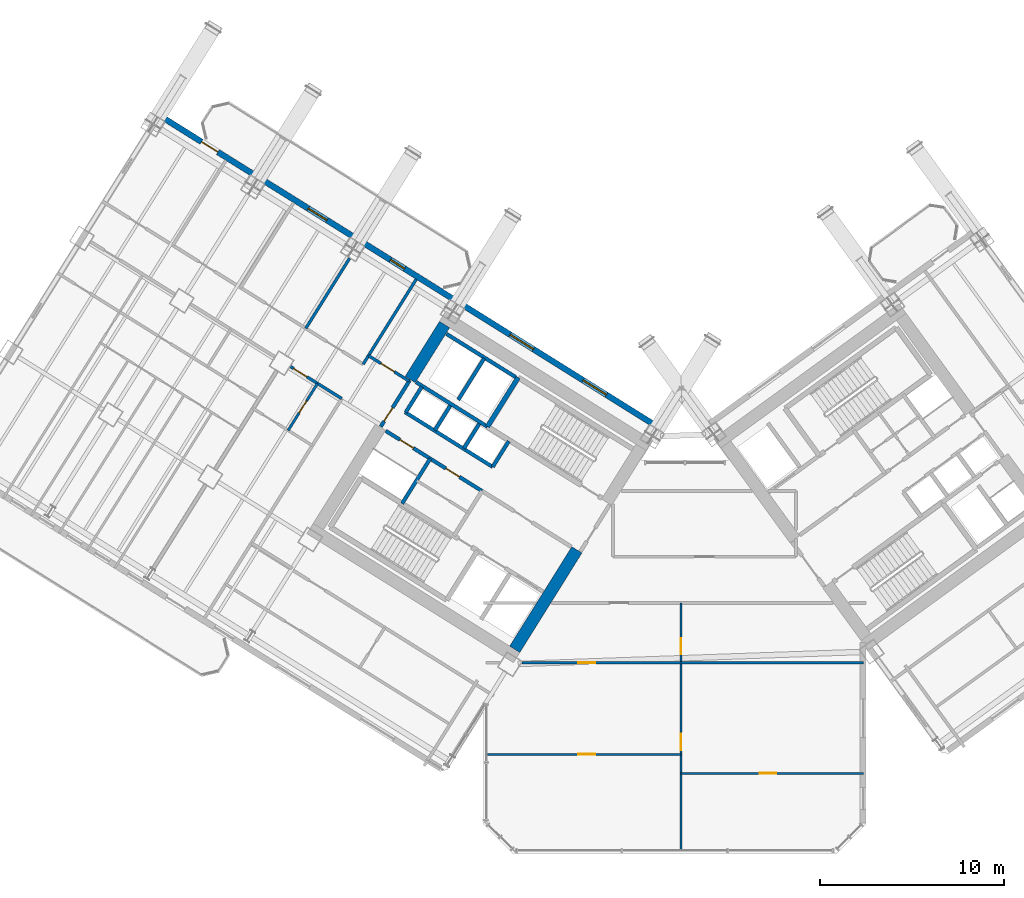
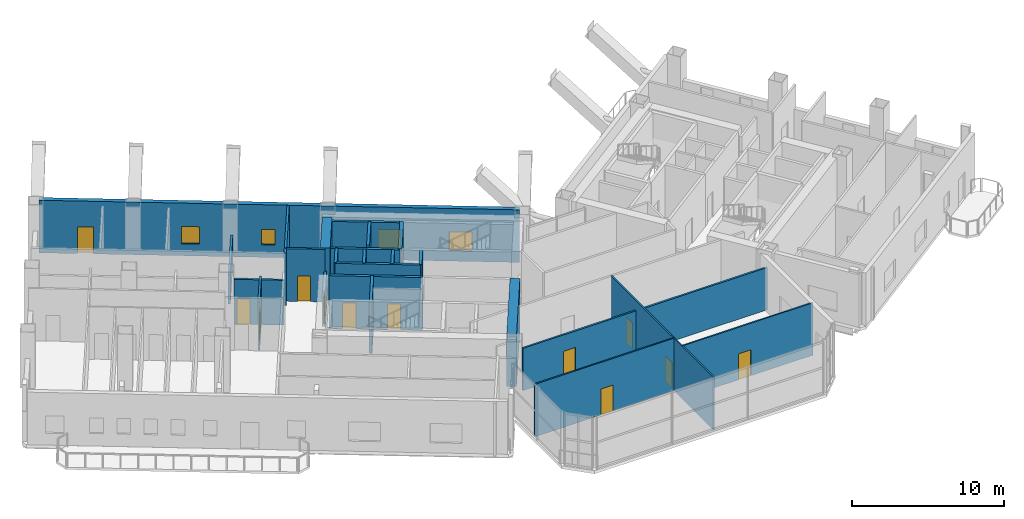
# One storey, part 23 of 30: 25 walls, 12 doors, 4 windows, 16 openings.
"""IFC4 building model written with IfcOpenShell, lengths in metres."""

from ifc_helpers import new_model, si_unit, direction, frame, frame_2d, origin, place, context, subcontext, project, spatial, rectangle, extrude, source, transform, mapped, material, layer, layer_set, type_object, element, fill, save


model = new_model("IFC4")

# Units and contexts
model_context = context("Model", 3, precision=1e-05, world=origin(), true_north=direction((0.0, 1.0)))
body_context = subcontext(model_context, "Body", "Model", "MODEL_VIEW")
ifc_project = project(units=[si_unit("LENGTHUNIT", "METRE"), si_unit("AREAUNIT", "SQUARE_METRE"), si_unit("VOLUMEUNIT", "CUBIC_METRE"), si_unit("PLANEANGLEUNIT", "RADIAN"), si_unit("MASSUNIT", "GRAM", prefix="KILO")], contexts=[model_context])

# Site, building, storey
site_placement = place(None, origin())
site = spatial("IfcSite", under=ifc_project, at=site_placement, CompositionType="ELEMENT")
building_placement = place(site_placement, origin())
building = spatial("IfcBuilding", under=site, at=building_placement, Name="Tlacorven Tower", CompositionType="ELEMENT")
storey_placement = place(building_placement, frame((0.0, 0.0, 67.199951171875)))
storey = spatial("IfcBuildingStorey", under=building, at=storey_placement, Name="L17", CompositionType="ELEMENT", Elevation=67.199951171875)

# Walls
ifc_material_1 = material(Name="Concrete C60/75", Category="concrete")
ifc_layer_1 = layer(ifc_material_1, 0.64990234375)
ifc_layer_set_1 = layer_set([ifc_layer_1], Name="Concrete C60/75")
wall_type_1 = type_object("IfcWallType", Name="WL-COR-650", PredefinedType="SHEAR", material=ifc_layer_set_1)
wall_1_placement = place(storey_placement, frame((36.683349609375, 18.30419921875, 0.0), z_axis=(0.0, 0.0, 1.0), x_axis=(-0.529899109053, -0.848060690178, 0.0)))
element("IfcWall", 1, at=wall_1_placement, inside=storey, type_object=wall_type_1, Name="L17 W core end wall E1.2", PredefinedType="SHEAR", context=body_context, shape_type="SweptSolid", body=[
    extrude(rectangle(XDim=6.375244140625, YDim=0.64990234375, at=frame_2d((3.1875, 0.0))), origin(), (0.0, 0.0, 1.0), 4.219970703125),
])
wall_2_placement = place(storey_placement, frame((29.49072265625, 30.5517578125, 0.0), z_axis=(0.0, 0.0, 1.0), x_axis=(-0.529893103397, -0.8480644427, 0.0)))
element("IfcWall", 2, at=wall_2_placement, inside=storey, type_object=wall_type_1, Name="L17 W core end wall E2.1", PredefinedType="SHEAR", context=body_context, shape_type="SweptSolid", body=[
    extrude(rectangle(XDim=3.525146484375, YDim=0.64990234375, at=frame_2d((1.7626953125, 0.0))), origin(), (0.0, 0.0, 1.0), 4.219970703125),
])

# Wall, opening, door
ifc_material_2 = material(Name="Gypsum plasterboard acoustic partition", Category="gypsum")
ifc_layer_2 = layer(ifc_material_2, 0.159912109375)
ifc_layer_set_2 = layer_set([ifc_layer_2], Name="Gypsum plasterboard acoustic partition")
wall_type_2 = type_object("IfcWallType", Name="WL-DEM-160", PredefinedType="PARTITIONING", material=ifc_layer_set_2)
wall_3_placement = place(storey_placement, frame((27.56982421875, 27.4775390625, 0.0), z_axis=(0.0, 0.0, 1.0), x_axis=(-0.848050851465, 0.529914854792, 0.0)))
wall_3 = element("IfcWall", 3, at=wall_3_placement, inside=storey, type_object=wall_type_2, Name="L17 partition 50", PredefinedType="PARTITIONING", context=body_context, shape_type="SweptSolid", body=[
    extrude(rectangle(XDim=2.60986328125, YDim=0.159912109375, at=frame_2d((1.304931640625, 0.0))), origin(), (0.0, 0.0, 1.0), 4.2099609375),
])
opening_1_placement = place(wall_3_placement, frame((0.949951171875, 0.0, 0.0)))
opening_1 = element("IfcOpeningElement", 4, at=opening_1_placement, cuts=wall_3, Name="Opening D19", PredefinedType="OPENING", context=body_context, shape_type="SweptSolid", body=[
    extrude(rectangle(XDim=0.860107421875, YDim=2.050048828125, at=frame_2d((0.43017578125, 1.02490234375))), frame((0.0, 0.08984375, 0.0), z_axis=(0.0, -1.0, 0.0), x_axis=(1.0, 0.0, 0.0)), (0.0, 0.0, 1.0), 0.179931640625),
])
ifc_material_3 = material(Name="Fire-rated steel door assembly", Category="steel")
door_type_1 = type_object("IfcDoorType", Name="DR-RSR-FD60-0860", OperationType="NOTDEFINED", PredefinedType="DOOR", material=ifc_material_3)
shared_shape_1 = source(origin(), body_context, "Body", "SweptSolid", [
    extrude(rectangle(XDim=0.860107421875, YDim=2.050048828125, at=frame_2d((0.43017578125, 1.02490234375))), frame((0.0, 0.02490234375, 0.0), z_axis=(0.0, -1.0, 0.0), x_axis=(1.0, 0.0, 0.0)), (0.0, 0.0, 1.0), 0.050048828125),
])
door_1_placement = place(opening_1_placement, frame((0.860107421875, 0.0, 0.0), z_axis=(0.0, 0.0, 1.0), x_axis=(-1.0, 0.0, 0.0)))
door_1 = element("IfcDoor", 5, at=door_1_placement, inside=storey, type_object=door_type_1, Name="L17 door 022", OperationType="SINGLE_SWING_RIGHT", OverallHeight=2.050048828125, OverallWidth=0.860107421875, PredefinedType="DOOR", context=body_context, shape_type="MappedRepresentation", body=[
    mapped(shared_shape_1, transform((0.0, 0.0, 0.0), scale=1.0)),
])
fill(opening_1, door_1)

# Wall
wall_4_placement = place(storey_placement, frame((27.952880859375, 33.01611328125, 0.0), z_axis=(0.0, 0.0, 1.0), x_axis=(-0.529906322364, -0.848056182997, 0.0)))
element("IfcWall", 6, at=wall_4_placement, inside=storey, type_object=wall_type_2, Name="L17 partition 52", PredefinedType="PARTITIONING", context=body_context, shape_type="SweptSolid", body=[
    extrude(rectangle(XDim=5.449951171875, YDim=0.159912109375, at=frame_2d((2.72509765625, 0.0))), origin(), (0.0, 0.0, 1.0), 4.2099609375),
])

# Wall, opening, door
wall_5_placement = place(storey_placement, frame((23.899169921875, 26.528564453125, 0.0), z_axis=(0.0, 0.0, 1.0), x_axis=(-0.848061058944, 0.529898518871, 0.0)))
wall_5 = element("IfcWall", 7, at=wall_5_placement, inside=storey, type_object=wall_type_2, Name="L17 Wing W Corridor North Wall", PredefinedType="PARTITIONING", context=body_context, shape_type="SweptSolid", body=[
    extrude(rectangle(XDim=3.278076171875, YDim=0.159912109375, at=frame_2d((1.63916015625, 0.0))), origin(), (0.0, 0.0, 1.0), 3.594970703125),
])
opening_2_placement = place(wall_5_placement, frame((2.219970703125, 0.0, 0.0)))
opening_2 = element("IfcOpeningElement", 8, at=opening_2_placement, cuts=wall_5, Name="Opening D19", PredefinedType="OPENING", context=body_context, shape_type="SweptSolid", body=[
    extrude(rectangle(XDim=0.860107421875, YDim=2.050048828125, at=frame_2d((0.43017578125, 1.02490234375))), frame((0.0, 0.08984375, 0.0), z_axis=(0.0, -1.0, 0.0), x_axis=(1.0, 0.0, 0.0)), (0.0, 0.0, 1.0), 0.179931640625),
])
door_2_placement = place(opening_2_placement, origin())
door_2 = element("IfcDoor", 9, at=door_2_placement, inside=storey, type_object=door_type_1, Name="L17 door 024", OperationType="SINGLE_SWING_LEFT", OverallHeight=2.050048828125, OverallWidth=0.860107421875, PredefinedType="DOOR", context=body_context, shape_type="MappedRepresentation", body=[
    mapped(shared_shape_1, transform((0.0, 0.0, 0.0), scale=1.0)),
])
fill(opening_2, door_2)

# Wall
wall_6_placement = place(storey_placement, frame((24.32568359375, 34.148193359375, 0.0), z_axis=(0.0, 0.0, 1.0), x_axis=(-0.529915808518, -0.848050255517, 0.0)))
element("IfcWall", 10, at=wall_6_placement, inside=storey, type_object=wall_type_2, Name="L17 partition 70", PredefinedType="PARTITIONING", context=body_context, shape_type="SweptSolid", body=[
    extrude(rectangle(XDim=4.48779296875, YDim=0.159912109375, at=frame_2d((2.243896484375, 0.0))), origin(), (0.0, 0.0, 1.0), 2.39501953125),
])

# Wall, openings, door, windows
ifc_material_4 = material(Name="Precast concrete C45/55", Category="concrete")
ifc_layer_3 = layer(ifc_material_4, 0.320068359375)
ifc_layer_set_3 = layer_set([ifc_layer_3], Name="Precast concrete C45/55")
wall_type_3 = type_object("IfcWallType", Name="WL-EXT-320", PredefinedType="STANDARD", material=ifc_layer_set_3)
wall_7_placement = place(storey_placement, frame((14.13818359375, 41.825439453125, 0.0), z_axis=(0.0, 0.0, 1.0), x_axis=(0.848046498049, -0.529921821731, 0.0)))
wall_7 = element("IfcWall", 11, at=wall_7_placement, inside=storey, type_object=wall_type_3, Name="L17 Masonry-Frame Recessed Facade Wall 3", PredefinedType="STANDARD", context=body_context, shape_type="SweptSolid", body=[
    extrude(rectangle(XDim=31.587646484375, YDim=0.320068359375, at=frame_2d((15.7939453125, 0.0))), origin(), (0.0, 0.0, 1.0), 4.219970703125),
])
opening_3_placement = place(wall_7_placement, frame((2.525634765625, 0.0, 0.0)))
opening_3 = element("IfcOpeningElement", 12, at=opening_3_placement, cuts=wall_7, Name="Opening D06", PredefinedType="OPENING", context=body_context, shape_type="SweptSolid", body=[
    extrude(rectangle(XDim=1.050048828125, YDim=2.14990234375, at=frame_2d((0.52490234375, 1.074951171875))), frame((0.0, 0.169921875, 0.0), z_axis=(0.0, -1.0, 0.0), x_axis=(1.0, 0.0, 0.0)), (0.0, 0.0, 1.0), 0.340087890625),
])
opening_4_placement = place(wall_7_placement, frame((9.3642578125, 0.0, 0.949951171875)))
opening_4 = element("IfcOpeningElement", 13, at=opening_4_placement, cuts=wall_7, Name="Opening WN03", PredefinedType="OPENING", context=body_context, shape_type="SweptSolid", body=[
    extrude(rectangle(XDim=1.199951171875, YDim=1.39990234375, at=frame_2d((0.60009765625, 0.699951171875))), frame((0.0, 0.169921875, 0.0), z_axis=(0.0, -1.0, 0.0), x_axis=(1.0, 0.0, 0.0)), (0.0, 0.0, 1.0), 0.340087890625),
])
opening_5_placement = place(wall_7_placement, frame((14.63623046875, 0.0, 1.0)))
opening_5 = element("IfcOpeningElement", 14, at=opening_5_placement, cuts=wall_7, Name="Opening WN05", PredefinedType="OPENING", context=body_context, shape_type="SweptSolid", body=[
    extrude(rectangle(XDim=0.89990234375, YDim=1.25, at=frame_2d((0.449951171875, 0.625))), frame((0.0, 0.169921875, 0.0), z_axis=(0.0, -1.0, 0.0), x_axis=(1.0, 0.0, 0.0)), (0.0, 0.0, 1.0), 0.340087890625),
])
opening_6_placement = place(wall_7_placement, frame((22.30615234375, 0.0, 0.85009765625)))
opening_6 = element("IfcOpeningElement", 15, at=opening_6_placement, cuts=wall_7, Name="Opening WN02", PredefinedType="OPENING", context=body_context, shape_type="SweptSolid", body=[
    extrude(rectangle(XDim=1.5, YDim=1.5, at=frame_2d((0.75, 0.75))), frame((0.0, 0.169921875, 0.0), z_axis=(0.0, -1.0, 0.0), x_axis=(1.0, 0.0, 0.0)), (0.0, 0.0, 1.0), 0.340087890625),
])
opening_7_placement = place(wall_7_placement, frame((26.981201171875, 0.0, 0.85009765625)))
opening_7 = element("IfcOpeningElement", 16, at=opening_7_placement, cuts=wall_7, Name="Opening WN02", PredefinedType="OPENING", context=body_context, shape_type="SweptSolid", body=[
    extrude(rectangle(XDim=1.5, YDim=1.5, at=frame_2d((0.75, 0.75))), frame((0.0, 0.169921875, 0.0), z_axis=(0.0, -1.0, 0.0), x_axis=(1.0, 0.0, 0.0)), (0.0, 0.0, 1.0), 0.340087890625),
])
ifc_material_5 = material(Name="Powder-coated aluminium and timber door", Category="wood")
door_type_2 = type_object("IfcDoorType", Name="DR-EXT-BALC-1050", OperationType="NOTDEFINED", PredefinedType="DOOR", material=ifc_material_5)
shared_shape_2 = source(origin(), body_context, "Body", "SweptSolid", [
    extrude(rectangle(XDim=1.050048828125, YDim=2.14990234375, at=frame_2d((0.52490234375, 1.074951171875))), frame((0.0, 0.02490234375, 0.0), z_axis=(0.0, -1.0, 0.0), x_axis=(1.0, 0.0, 0.0)), (0.0, 0.0, 1.0), 0.050048828125),
])
door_3_placement = place(opening_3_placement, origin())
door_3 = element("IfcDoor", 17, at=door_3_placement, inside=storey, type_object=door_type_2, Name="L17 Outdoor Access Door BAL-L17-W-IN", OperationType="SINGLE_SWING_RIGHT", OverallHeight=2.14990234375, OverallWidth=1.050048828125, PredefinedType="DOOR", context=body_context, shape_type="MappedRepresentation", body=[
    mapped(shared_shape_2, transform((0.0, 0.0, 0.0), scale=1.0)),
])
fill(opening_3, door_3)
ifc_material_6 = material(Name="Dark solar low-E double glazing in anodised aluminium frame", Category="aluminium")
window_type_1 = type_object("IfcWindowType", Name="WN-APT-1200X1500", PartitioningType="SINGLE_PANEL", PredefinedType="WINDOW", material=ifc_material_6)
shared_shape_3 = source(origin(), body_context, "Body", "SweptSolid", [
    extrude(rectangle(XDim=1.199951171875, YDim=1.39990234375, at=frame_2d((0.60009765625, 0.699951171875))), frame((0.0, 0.030029296875, 0.0), z_axis=(0.0, -1.0, 0.0), x_axis=(1.0, 0.0, 0.0)), (0.0, 0.0, 1.0), 0.06005859375),
])
window_1_placement = place(opening_4_placement, origin())
window_1 = element("IfcWindow", 18, at=window_1_placement, inside=storey, type_object=window_type_1, Name="L17 Recessed Masonry-Frame Window L17-03.1", OverallHeight=1.39990234375, OverallWidth=1.199951171875, PartitioningType="SINGLE_PANEL", PredefinedType="WINDOW", context=body_context, shape_type="MappedRepresentation", body=[
    mapped(shared_shape_3, transform((0.0, 0.0, 0.0), scale=1.0)),
])
fill(opening_4, window_1)
window_type_2 = type_object("IfcWindowType", Name="WN-APT-1500X1650", PartitioningType="SINGLE_PANEL", PredefinedType="WINDOW", material=ifc_material_6)
shared_shape_4 = source(origin(), body_context, "Body", "SweptSolid", [
    extrude(rectangle(XDim=1.5, YDim=1.5, at=frame_2d((0.75, 0.75))), frame((0.0, 0.030029296875, 0.0), z_axis=(0.0, -1.0, 0.0), x_axis=(1.0, 0.0, 0.0)), (0.0, 0.0, 1.0), 0.06005859375),
])
window_2_placement = place(opening_6_placement, origin())
window_2 = element("IfcWindow", 19, at=window_2_placement, inside=storey, type_object=window_type_2, Name="L17 Recessed Masonry-Frame Window L17-03.3", OverallHeight=1.5, OverallWidth=1.5, PartitioningType="SINGLE_PANEL", PredefinedType="WINDOW", context=body_context, shape_type="MappedRepresentation", body=[
    mapped(shared_shape_4, transform((0.0, 0.0, 0.0), scale=1.0)),
])
fill(opening_6, window_2)
window_3_placement = place(opening_7_placement, origin())
window_3 = element("IfcWindow", 20, at=window_3_placement, inside=storey, type_object=window_type_2, Name="L17 Recessed Masonry-Frame Window L17-03.4", OverallHeight=1.5, OverallWidth=1.5, PartitioningType="SINGLE_PANEL", PredefinedType="WINDOW", context=body_context, shape_type="MappedRepresentation", body=[
    mapped(shared_shape_4, transform((0.0, 0.0, 0.0), scale=1.0)),
])
fill(opening_7, window_3)
window_type_3 = type_object("IfcWindowType", Name="WN-APT-0900X1350", PartitioningType="SINGLE_PANEL", PredefinedType="WINDOW", material=ifc_material_6)
shared_shape_5 = source(origin(), body_context, "Body", "SweptSolid", [
    extrude(rectangle(XDim=0.89990234375, YDim=1.25, at=frame_2d((0.449951171875, 0.625))), frame((0.0, 0.030029296875, 0.0), z_axis=(0.0, -1.0, 0.0), x_axis=(1.0, 0.0, 0.0)), (0.0, 0.0, 1.0), 0.06005859375),
])
window_4_placement = place(opening_5_placement, origin())
window_4 = element("IfcWindow", 21, at=window_4_placement, inside=storey, type_object=window_type_3, Name="L17 Recessed Masonry-Frame Window L17-03.2", OverallHeight=1.25, OverallWidth=0.89990234375, PartitioningType="SINGLE_PANEL", PredefinedType="WINDOW", context=body_context, shape_type="MappedRepresentation", body=[
    mapped(shared_shape_5, transform((0.0, 0.0, 0.0), scale=1.0)),
])
fill(opening_5, window_4)

# Wall, openings, doors
ifc_material_7 = material(Name="Gypsum plasterboard partition", Category="gypsum")
ifc_layer_4 = layer(ifc_material_7, 0.110107421875)
ifc_layer_set_4 = layer_set([ifc_layer_4], Name="Gypsum plasterboard partition")
wall_type_4 = type_object("IfcWallType", Name="WL-INT-110", PredefinedType="PARTITIONING", material=ifc_layer_set_4)
wall_8_placement = place(storey_placement, frame((42.343994140625, 1.9599609375, 0.0), z_axis=(0.0, 0.0, 1.0), x_axis=(0.0, 1.0, 0.0)))
wall_8 = element("IfcWall", 22, at=wall_8_placement, inside=storey, type_object=wall_type_4, Name="L17 partition 84", PredefinedType="PARTITIONING", context=body_context, shape_type="SweptSolid", body=[
    extrude(rectangle(XDim=13.4599609375, YDim=0.110107421875, at=frame_2d((6.72998046875, 0.0))), origin(), (0.0, 0.0, 1.0), 4.2099609375),
])
opening_8_placement = place(wall_8_placement, frame((5.43994140625, 0.0, 0.0)))
opening_8 = element("IfcOpeningElement", 23, at=opening_8_placement, cuts=wall_8, Name="Opening D12", PredefinedType="OPENING", context=body_context, shape_type="SweptSolid", body=[
    extrude(rectangle(XDim=0.919921875, YDim=2.080078125, at=frame_2d((0.4599609375, 1.0400390625))), frame((0.0, 0.06494140625, 0.0), z_axis=(0.0, -1.0, 0.0), x_axis=(1.0, 0.0, 0.0)), (0.0, 0.0, 1.0), 0.130126953125),
])
opening_9_placement = place(wall_8_placement, frame((10.669921875, 0.0, 0.0)))
opening_9 = element("IfcOpeningElement", 24, at=opening_9_placement, cuts=wall_8, Name="Opening D13", PredefinedType="OPENING", context=body_context, shape_type="SweptSolid", body=[
    extrude(rectangle(XDim=0.8798828125, YDim=2.080078125, at=frame_2d((0.43994140625, 1.0400390625))), frame((0.0, 0.06494140625, 0.0), z_axis=(0.0, -1.0, 0.0), x_axis=(1.0, 0.0, 0.0)), (0.0, 0.0, 1.0), 0.130126953125),
])
door_type_3 = type_object("IfcDoorType", Name="DR-INT-WET-0880", OperationType="NOTDEFINED", PredefinedType="DOOR", material=ifc_material_5)
shared_shape_6 = source(origin(), body_context, "Body", "SweptSolid", [
    extrude(rectangle(XDim=0.8798828125, YDim=2.080078125, at=frame_2d((0.43994140625, 1.0400390625))), frame((0.0, 0.02490234375, 0.0), z_axis=(0.0, -1.0, 0.0), x_axis=(1.0, 0.0, 0.0)), (0.0, 0.0, 1.0), 0.050048828125),
])
door_4_placement = place(opening_9_placement, origin())
door_4 = element("IfcDoor", 25, at=door_4_placement, inside=storey, type_object=door_type_3, Name="L17 door 053", OperationType="SINGLE_SWING_RIGHT", OverallHeight=2.080078125, OverallWidth=0.8798828125, PredefinedType="DOOR", context=body_context, shape_type="MappedRepresentation", body=[
    mapped(shared_shape_6, transform((0.0, 0.0, 0.0), scale=1.0)),
])
fill(opening_9, door_4)
door_type_4 = type_object("IfcDoorType", Name="DR-INT-ROOM-0920", OperationType="NOTDEFINED", PredefinedType="DOOR", material=ifc_material_5)
shared_shape_7 = source(origin(), body_context, "Body", "SweptSolid", [
    extrude(rectangle(XDim=0.919921875, YDim=2.080078125, at=frame_2d((0.4599609375, 1.0400390625))), frame((0.0, 0.02490234375, 0.0), z_axis=(0.0, -1.0, 0.0), x_axis=(1.0, 0.0, 0.0)), (0.0, 0.0, 1.0), 0.050048828125),
])
door_5_placement = place(opening_8_placement, origin())
door_5 = element("IfcDoor", 26, at=door_5_placement, inside=storey, type_object=door_type_4, Name="L17 door 049", OperationType="SINGLE_SWING_RIGHT", OverallHeight=2.080078125, OverallWidth=0.919921875, PredefinedType="DOOR", context=body_context, shape_type="MappedRepresentation", body=[
    mapped(shared_shape_7, transform((0.0, 0.0, 0.0), scale=1.0)),
])
fill(opening_8, door_5)

# Wall, opening, door
wall_9_placement = place(storey_placement, frame((31.739990234375, 7.18505859375, 0.0), z_axis=(0.0, 0.0, 1.0), x_axis=(1.0, 0.0, 0.0)))
wall_9 = element("IfcWall", 27, at=wall_9_placement, inside=storey, type_object=wall_type_4, Name="L17 partition 87", PredefinedType="PARTITIONING", context=body_context, shape_type="SweptSolid", body=[
    extrude(rectangle(XDim=10.60400390625, YDim=0.110107421875, at=frame_2d((5.302001953125, 0.0))), origin(), (0.0, 0.0, 1.0), 4.2099609375),
])
opening_10_placement = place(wall_9_placement, frame((5.02197265625, 0.0, 0.0)))
opening_10 = element("IfcOpeningElement", 28, at=opening_10_placement, cuts=wall_9, Name="Opening D12", PredefinedType="OPENING", context=body_context, shape_type="SweptSolid", body=[
    extrude(rectangle(XDim=0.919921875, YDim=2.080078125, at=frame_2d((0.4599609375, 1.0400390625))), frame((0.0, 0.06494140625, 0.0), z_axis=(0.0, -1.0, 0.0), x_axis=(1.0, 0.0, 0.0)), (0.0, 0.0, 1.0), 0.130126953125),
])
door_6_placement = place(opening_10_placement, frame((0.919921875, 0.0, 0.0), z_axis=(0.0, 0.0, 1.0), x_axis=(-1.0, 0.0, 0.0)))
door_6 = element("IfcDoor", 29, at=door_6_placement, inside=storey, type_object=door_type_4, Name="L17 door 048", OperationType="SINGLE_SWING_LEFT", OverallHeight=2.080078125, OverallWidth=0.919921875, PredefinedType="DOOR", context=body_context, shape_type="MappedRepresentation", body=[
    mapped(shared_shape_7, transform((0.0, 0.0, 0.0), scale=1.0)),
])
fill(opening_10, door_6)

wall_10_placement = place(storey_placement, frame((42.343994140625, 6.14990234375, 0.0), z_axis=(0.0, 0.0, 1.0), x_axis=(1.0, 0.0, 0.0)))
wall_10 = element("IfcWall", 30, at=wall_10_placement, inside=storey, type_object=wall_type_4, Name="L17 partition 88", PredefinedType="PARTITIONING", context=body_context, shape_type="SweptSolid", body=[
    extrude(rectangle(XDim=9.916015625, YDim=0.110107421875, at=frame_2d((4.9580078125, 0.0))), origin(), (0.0, 0.0, 1.0), 4.2099609375),
])
opening_11_placement = place(wall_10_placement, frame((4.26806640625, 0.0, 0.0)))
opening_11 = element("IfcOpeningElement", 31, at=opening_11_placement, cuts=wall_10, Name="Opening D12", PredefinedType="OPENING", context=body_context, shape_type="SweptSolid", body=[
    extrude(rectangle(XDim=0.919921875, YDim=2.080078125, at=frame_2d((0.4599609375, 1.0400390625))), frame((0.0, 0.06494140625, 0.0), z_axis=(0.0, -1.0, 0.0), x_axis=(1.0, 0.0, 0.0)), (0.0, 0.0, 1.0), 0.130126953125),
])
door_7_placement = place(opening_11_placement, origin())
door_7 = element("IfcDoor", 32, at=door_7_placement, inside=storey, type_object=door_type_4, Name="L17 door 050", OperationType="SINGLE_SWING_LEFT", OverallHeight=2.080078125, OverallWidth=0.919921875, PredefinedType="DOOR", context=body_context, shape_type="MappedRepresentation", body=[
    mapped(shared_shape_7, transform((0.0, 0.0, 0.0), scale=1.0)),
])
fill(opening_11, door_7)

ifc_material_8 = material(Name="Moisture-resistant gypsum plumbing wall", Category="gypsum")
ifc_layer_5 = layer(ifc_material_8, 0.139892578125)
ifc_layer_set_5 = layer_set([ifc_layer_5], Name="Moisture-resistant gypsum plumbing wall")
wall_type_5 = type_object("IfcWallType", Name="WL-PLM-140", PredefinedType="PLUMBINGWALL", material=ifc_layer_set_5)
wall_11_placement = place(storey_placement, frame((22.584716796875, 27.349853515625, 0.0), z_axis=(0.0, 0.0, 1.0), x_axis=(-0.529977067289, -0.848011974059, 0.0)))
wall_11 = element("IfcWall", 33, at=wall_11_placement, inside=storey, type_object=wall_type_5, Name="L17 partition 59", PredefinedType="PLUMBINGWALL", context=body_context, shape_type="SweptSolid", body=[
    extrude(rectangle(XDim=3.010009765625, YDim=0.139892578125, at=frame_2d((1.5048828125, 0.0))), origin(), (0.0, 0.0, 1.0), 3.864990234375),
])
opening_12_placement = place(wall_11_placement, frame((1.114990234375, 0.0, 0.0)))
opening_12 = element("IfcOpeningElement", 34, at=opening_12_placement, cuts=wall_11, Name="Opening D22", PredefinedType="OPENING", context=body_context, shape_type="SweptSolid", body=[
    extrude(rectangle(XDim=0.780029296875, YDim=2.050048828125, at=frame_2d((0.39013671875, 1.02490234375))), frame((0.0, 0.080078125, 0.0), z_axis=(0.0, -1.0, 0.0), x_axis=(1.0, 0.0, 0.0)), (0.0, 0.0, 1.0), 0.159912109375),
])
door_type_5 = type_object("IfcDoorType", Name="DR-INT-WET-0780", OperationType="NOTDEFINED", PredefinedType="DOOR", material=ifc_material_5)
shared_shape_8 = source(origin(), body_context, "Body", "SweptSolid", [
    extrude(rectangle(XDim=0.780029296875, YDim=2.050048828125, at=frame_2d((0.39013671875, 1.02490234375))), frame((0.0, 0.02490234375, 0.0), z_axis=(0.0, -1.0, 0.0), x_axis=(1.0, 0.0, 0.0)), (0.0, 0.0, 1.0), 0.050048828125),
])
door_8_placement = place(opening_12_placement, origin())
door_8 = element("IfcDoor", 35, at=door_8_placement, inside=storey, type_object=door_type_5, Name="L17 door 026", OperationType="SINGLE_SWING_LEFT", OverallHeight=2.050048828125, OverallWidth=0.780029296875, PredefinedType="DOOR", context=body_context, shape_type="MappedRepresentation", body=[
    mapped(shared_shape_8, transform((0.0, 0.0, 0.0), scale=1.0)),
])
fill(opening_12, door_8)

wall_12_placement = place(storey_placement, frame((33.701904296875, 12.169921875, 0.0), z_axis=(0.0, 0.0, 1.0), x_axis=(1.0, 0.0, 0.0)))
wall_12 = element("IfcWall", 36, at=wall_12_placement, inside=storey, type_object=wall_type_5, Name="L17 partition 85", PredefinedType="PLUMBINGWALL", context=body_context, shape_type="SweptSolid", body=[
    extrude(rectangle(XDim=8.64208984375, YDim=0.139892578125, at=frame_2d((4.321044921875, 0.0))), origin(), (0.0, 0.0, 1.0), 3.39501953125),
])
opening_13_placement = place(wall_12_placement, frame((3.060302734375, 0.0, 0.0)))
opening_13 = element("IfcOpeningElement", 37, at=opening_13_placement, cuts=wall_12, Name="Opening D12", PredefinedType="OPENING", context=body_context, shape_type="SweptSolid", body=[
    extrude(rectangle(XDim=0.919921875, YDim=2.080078125, at=frame_2d((0.4599609375, 1.0400390625))), frame((0.0, 0.080078125, 0.0), z_axis=(0.0, -1.0, 0.0), x_axis=(1.0, 0.0, 0.0)), (0.0, 0.0, 1.0), 0.159912109375),
])
door_9_placement = place(opening_13_placement, frame((0.919921875, 0.0, 0.0), z_axis=(0.0, 0.0, 1.0), x_axis=(-1.0, 0.0, 0.0)))
door_9 = element("IfcDoor", 38, at=door_9_placement, inside=storey, type_object=door_type_4, Name="L17 door 052", OperationType="SINGLE_SWING_LEFT", OverallHeight=2.080078125, OverallWidth=0.919921875, PredefinedType="DOOR", context=body_context, shape_type="MappedRepresentation", body=[
    mapped(shared_shape_7, transform((0.0, 0.0, 0.0), scale=1.0)),
])
fill(opening_13, door_9)

# Walls
wall_13_placement = place(storey_placement, frame((42.343994140625, 12.169921875, 0.0), z_axis=(0.0, 0.0, 1.0), x_axis=(1.0, 0.0, 0.0)))
element("IfcWall", 39, at=wall_13_placement, inside=storey, type_object=wall_type_5, Name="L17 partition 86", PredefinedType="PLUMBINGWALL", context=body_context, shape_type="SweptSolid", body=[
    extrude(rectangle(XDim=9.916015625, YDim=0.139892578125, at=frame_2d((4.9580078125, 0.0))), origin(), (0.0, 0.0, 1.0), 3.39501953125),
])
ifc_material_9 = material(Name="Concrete C40/50", Category="concrete")
ifc_layer_6 = layer(ifc_material_9, 0.199951171875)
ifc_layer_set_6 = layer_set([ifc_layer_6], Name="Concrete C40/50")
wall_type_6 = type_object("IfcWallType", Name="WL-SHF-200", PredefinedType="STANDARD", material=ifc_layer_set_6)
wall_14_placement = place(storey_placement, frame((31.82177734375, 24.99755859375, 0.0), z_axis=(0.0, 0.0, 1.0), x_axis=(-0.848058348634, 0.529902856485, 0.0)))
element("IfcWall", 40, at=wall_14_placement, inside=storey, type_object=wall_type_6, Name="L17 Core W South Lift Shaft Wall", PredefinedType="STANDARD", context=body_context, shape_type="SweptSolid", body=[
    extrude(rectangle(XDim=4.568115234375, YDim=0.199951171875, at=frame_2d((2.2841796875, 0.0))), origin(), (0.0, 0.0, 1.0), 4.2099609375),
])
wall_15_placement = place(storey_placement, frame((32.108154296875, 22.81396484375, 0.0), z_axis=(0.0, 0.0, 1.0), x_axis=(-0.848042229521, 0.529928652696, 0.0)))
element("IfcWall", 41, at=wall_15_placement, inside=storey, type_object=wall_type_6, Name="L17 partition 11", PredefinedType="STANDARD", context=body_context, shape_type="SweptSolid", body=[
    extrude(rectangle(XDim=5.6201171875, YDim=0.199951171875, at=frame_2d((2.81005859375, 0.0))), origin(), (0.0, 0.0, 1.0), 4.2099609375),
])
wall_16_placement = place(storey_placement, frame((32.982421875, 24.21337890625, 0.0), z_axis=(0.0, 0.0, 1.0), x_axis=(-0.529839334948, -0.84809803628, 0.0)))
element("IfcWall", 42, at=wall_16_placement, inside=storey, type_object=wall_type_6, Name="L17 partition 12", PredefinedType="STANDARD", context=body_context, shape_type="SweptSolid", body=[
    extrude(rectangle(XDim=1.650146484375, YDim=0.199951171875, at=frame_2d((0.8251953125, 0.0))), origin(), (0.0, 0.0, 1.0), 4.2099609375),
])
wall_17_placement = place(storey_placement, frame((28.250244140625, 27.170166015625, 0.0), z_axis=(0.0, 0.0, 1.0), x_axis=(-0.529905827651, -0.848056492117, 0.0)))
element("IfcWall", 43, at=wall_17_placement, inside=storey, type_object=wall_type_6, Name="L17 partition 13", PredefinedType="STANDARD", context=body_context, shape_type="SweptSolid", body=[
    extrude(rectangle(XDim=1.64990234375, YDim=0.199951171875, at=frame_2d((0.824951171875, 0.0))), origin(), (0.0, 0.0, 1.0), 4.2099609375),
])
wall_18_placement = place(storey_placement, frame((31.645263671875, 28.716064453125, 0.0), z_axis=(0.0, 0.0, 1.0), x_axis=(-0.52986693015, -0.848080795876, 0.0)))
element("IfcWall", 44, at=wall_18_placement, inside=storey, type_object=wall_type_6, Name="L17 partition 15", PredefinedType="STANDARD", context=body_context, shape_type="SweptSolid", body=[
    extrude(rectangle(XDim=2.659912109375, YDim=0.199951171875, at=frame_2d((1.330078125, 0.0))), origin(), (0.0, 0.0, 1.0), 4.2099609375),
])
wall_19_placement = place(storey_placement, frame((33.362548828125, 27.690185546875, 0.0), z_axis=(0.0, 0.0, 1.0), x_axis=(-0.848053806312, 0.529910125964, 0.0)))
element("IfcWall", 45, at=wall_19_placement, inside=storey, type_object=wall_type_6, Name="L17 partition 17", PredefinedType="STANDARD", context=body_context, shape_type="SweptSolid", body=[
    extrude(rectangle(XDim=4.44775390625, YDim=0.199951171875, at=frame_2d((2.223876953125, 0.0))), origin(), (0.0, 0.0, 1.0), 4.2099609375),
])
for number, where, z_axis, x_axis, name in (
    (46, (31.378662109375, 25.156494140625, 0.0), (0.0, 0.0, 1.0), (-0.529998940003, -0.847998304005, 0.0), "L17 partition 18"),
    (47, (29.80126953125, 26.14208984375, 0.0), (0.0, 0.0, 1.0), (-0.529998940003, -0.847998304005, 0.0), "L17 partition 19"),
):
    element("IfcWall", number, at=place(storey_placement, frame(where, z_axis=z_axis, x_axis=x_axis)), inside=storey, type_object=wall_type_6, Name=name, PredefinedType="STANDARD", context=body_context, shape_type="SweptSolid", body=[
        extrude(rectangle(XDim=1.580078125, YDim=0.199951171875, at=frame_2d((0.7900390625, 0.0))), origin(), (0.0, 0.0, 1.0), 4.2099609375),
    ])
wall_20_placement = place(storey_placement, frame((28.709716796875, 23.26318359375, 0.0), z_axis=(0.0, 0.0, 1.0), x_axis=(-0.529907497854, -0.848055448493, 0.0)))
element("IfcWall", 48, at=wall_20_placement, inside=storey, type_object=wall_type_6, Name="L17 partition 21", PredefinedType="STANDARD", context=body_context, shape_type="SweptSolid", body=[
    extrude(rectangle(XDim=2.8798828125, YDim=0.199951171875, at=frame_2d((1.43994140625, 0.0))), origin(), (0.0, 0.0, 1.0), 4.2099609375),
])

# Wall, openings, doors
wall_21_placement = place(storey_placement, frame((31.525146484375, 21.503662109375, 0.0), z_axis=(0.0, 0.0, 1.0), x_axis=(-0.848044998614, 0.529924221305, 0.0)))
wall_21 = element("IfcWall", 49, at=wall_21_placement, inside=storey, type_object=wall_type_6, Name="L17 Core W North Service Wall", PredefinedType="STANDARD", context=body_context, shape_type="SweptSolid", body=[
    extrude(rectangle(XDim=6.16796875, YDim=0.199951171875, at=frame_2d((3.083984375, 0.0))), origin(), (0.0, 0.0, 1.0), 4.2099609375),
])
opening_14_placement = place(wall_21_placement, frame((4.39990234375, 0.0, 0.0)))
opening_14 = element("IfcOpeningElement", 50, at=opening_14_placement, cuts=wall_21, Name="Opening D19", PredefinedType="OPENING", context=body_context, shape_type="SweptSolid", body=[
    extrude(rectangle(XDim=0.860107421875, YDim=2.050048828125, at=frame_2d((0.43017578125, 1.02490234375))), frame((0.0, 0.10986328125, 0.0), z_axis=(0.0, -1.0, 0.0), x_axis=(1.0, 0.0, 0.0)), (0.0, 0.0, 1.0), 0.219970703125),
])
opening_15_placement = place(wall_21_placement, frame((1.449951171875, 0.0, 0.0)))
opening_15 = element("IfcOpeningElement", 51, at=opening_15_placement, cuts=wall_21, Name="Opening D19", PredefinedType="OPENING", context=body_context, shape_type="SweptSolid", body=[
    extrude(rectangle(XDim=0.860107421875, YDim=2.050048828125, at=frame_2d((0.43017578125, 1.02490234375))), frame((0.0, 0.10986328125, 0.0), z_axis=(0.0, -1.0, 0.0), x_axis=(1.0, 0.0, 0.0)), (0.0, 0.0, 1.0), 0.219970703125),
])
door_10_placement = place(opening_14_placement, frame((0.860107421875, 0.0, 0.0), z_axis=(0.0, 0.0, 1.0), x_axis=(-1.0, 0.0, 0.0)))
door_10 = element("IfcDoor", 52, at=door_10_placement, inside=storey, type_object=door_type_1, Name="L17 Electrical Riser Access Door W", OperationType="SINGLE_SWING_RIGHT", OverallHeight=2.050048828125, OverallWidth=0.860107421875, PredefinedType="DOOR", context=body_context, shape_type="MappedRepresentation", body=[
    mapped(shared_shape_1, transform((0.0, 0.0, 0.0), scale=1.0)),
])
fill(opening_14, door_10)
door_11_placement = place(opening_15_placement, frame((0.860107421875, 0.0, 0.0), z_axis=(0.0, 0.0, 1.0), x_axis=(-1.0, 0.0, 0.0)))
door_11 = element("IfcDoor", 53, at=door_11_placement, inside=storey, type_object=door_type_1, Name="L17 Cleaner Store Access Door W", OperationType="SINGLE_SWING_LEFT", OverallHeight=2.050048828125, OverallWidth=0.860107421875, PredefinedType="DOOR", context=body_context, shape_type="MappedRepresentation", body=[
    mapped(shared_shape_1, transform((0.0, 0.0, 0.0), scale=1.0)),
])
fill(opening_15, door_11)

# Wall, opening, door
wall_22_placement = place(storey_placement, frame((27.59619140625, 27.52001953125, 0.0), z_axis=(0.0, 0.0, 1.0), x_axis=(-0.529865479138, -0.848081702443, 0.0)))
wall_22 = element("IfcWall", 54, at=wall_22_placement, inside=storey, type_object=wall_type_6, Name="L17 partition 49", PredefinedType="STANDARD", context=body_context, shape_type="SweptSolid", body=[
    extrude(rectangle(XDim=2.9599609375, YDim=0.199951171875, at=frame_2d((1.47998046875, 0.0))), origin(), (0.0, 0.0, 1.0), 2.39501953125),
])
opening_16_placement = place(wall_22_placement, frame((1.760009765625, 0.0, 0.0)))
opening_16 = element("IfcOpeningElement", 55, at=opening_16_placement, cuts=wall_22, Name="Opening D19", PredefinedType="OPENING", context=body_context, shape_type="SweptSolid", body=[
    extrude(rectangle(XDim=0.860107421875, YDim=2.050048828125, at=frame_2d((0.43017578125, 1.02490234375))), frame((0.0, 0.10986328125, 0.0), z_axis=(0.0, -1.0, 0.0), x_axis=(1.0, 0.0, 0.0)), (0.0, 0.0, 1.0), 0.219970703125),
])
door_12_placement = place(opening_16_placement, origin())
door_12 = element("IfcDoor", 56, at=door_12_placement, inside=storey, type_object=door_type_1, Name="L17 door 023", OperationType="SINGLE_SWING_LEFT", OverallHeight=2.050048828125, OverallWidth=0.860107421875, PredefinedType="DOOR", context=body_context, shape_type="MappedRepresentation", body=[
    mapped(shared_shape_1, transform((0.0, 0.0, 0.0), scale=1.0)),
])
fill(opening_16, door_12)

# Wall
ifc_material_10 = material(Name="Concrete C50/60", Category="concrete")
ifc_layer_7 = layer(ifc_material_10, 0.260009765625)
ifc_layer_set_7 = layer_set([ifc_layer_7], Name="Concrete C50/60")
wall_type_7 = type_object("IfcWallType", Name="WL-STW-260", PredefinedType="SHEAR", material=ifc_layer_set_7)
wall_23_placement = place(storey_placement, frame((33.496337890625, 27.677490234375, 0.0), z_axis=(0.0, 0.0, 1.0), x_axis=(-0.529908658664, -0.84805472316, 0.0)))
element("IfcWall", 57, at=wall_23_placement, inside=storey, type_object=wall_type_7, Name="L17 Stair W2 East Shear Wall", PredefinedType="SHEAR", context=body_context, shape_type="SweptSolid", body=[
    extrude(rectangle(XDim=3.16015625, YDim=0.260009765625, at=frame_2d((1.580078125, 0.0))), origin(), (0.0, 0.0, 1.0), 4.219970703125),
])

save(model, "model.ifc")
